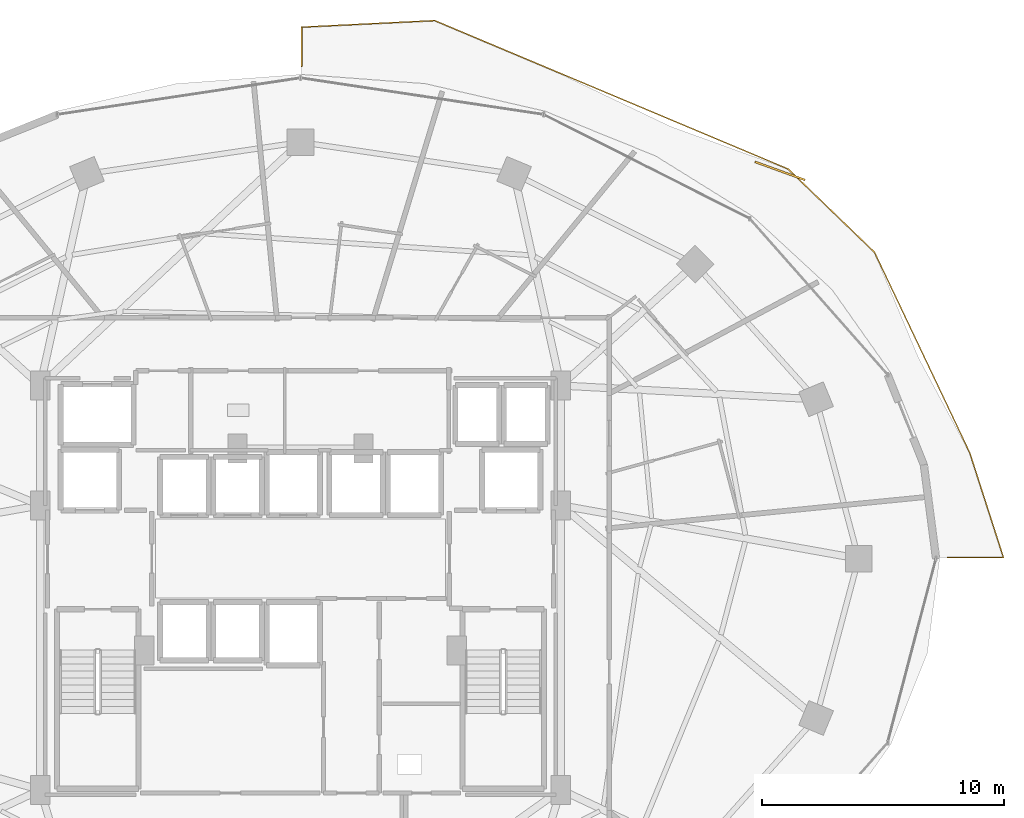
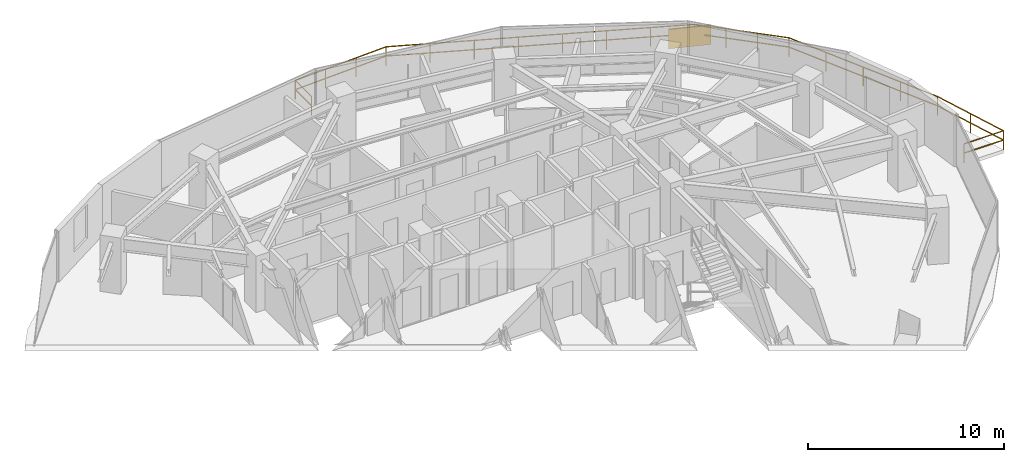
# One storey, part 28 of 29: 2 railings, 1 shading device.
"""IFC4 building model written with IfcOpenShell, lengths in metres."""

from ifc_helpers import new_model, si_unit, direction, frame, origin, origin_2d, place, context, subcontext, project, spatial, rectangle, extrude, material, type_object, element, save


model = new_model("IFC4")

# Units and contexts
model_context = context("Model", 3, precision=1e-05, world=origin(), true_north=direction((0.0, 1.0)))
body_context = subcontext(model_context, "Body", "Model", "MODEL_VIEW")
ifc_project = project(units=[si_unit("LENGTHUNIT", "METRE"), si_unit("AREAUNIT", "SQUARE_METRE"), si_unit("VOLUMEUNIT", "CUBIC_METRE"), si_unit("PLANEANGLEUNIT", "RADIAN"), si_unit("MASSUNIT", "GRAM", prefix="KILO")], contexts=[model_context])

# Site, building, storey
site_placement = place(None, origin())
site = spatial("IfcSite", under=ifc_project, at=site_placement, CompositionType="ELEMENT")
building_placement = place(site_placement, origin())
building = spatial("IfcBuilding", under=site, at=building_placement, Name="Vorneva Point Tower", CompositionType="ELEMENT")
storey_placement = place(building_placement, frame((0.0, 0.0, 120.800048828125)))
storey = spatial("IfcBuildingStorey", under=building, at=storey_placement, Name="L32", CompositionType="ELEMENT", Elevation=120.800048828125)

# Railings
ifc_material = material(Name="Pale anodised aluminium", Category="aluminium")
railing_type = type_object("IfcRailingType", Name="RL-BAL-1200", PredefinedType="BALUSTRADE", material=ifc_material)
railing_1_placement = place(storey_placement, frame((38.050048828125, 47.952392578125, 0.0)))
element("IfcRailing", 1, at=railing_1_placement, inside=storey, type_object=railing_type, Name="L32 Wave Balcony Balustrade NE.1", PredefinedType="BALUSTRADE", context=body_context, shape_type="SweptSolid", body=[
    extrude(rectangle(XDim=0.048095703125, YDim=0.048095703125, at=origin_2d()), frame((0.0, 0.0, 1.17578125), z_axis=(0.0, -1.0, 0.0), x_axis=(1.0, 0.0, 0.0)), (0.0, 0.0, 1.0), 1.63525390625),
    extrude(rectangle(XDim=0.048095703125, YDim=0.048095703125, at=origin_2d()), frame((0.0, 0.0, 0.60009765625), z_axis=(0.0, -1.0, 0.0), x_axis=(1.0, 0.0, 0.0)), (0.0, 0.0, 1.0), 1.63525390625),
    extrude(rectangle(XDim=0.0419921875, YDim=0.0419921875, at=origin_2d()), origin(), (0.0, 0.0, 1.0), 1.15185546875),
    extrude(rectangle(XDim=0.0419921875, YDim=0.0419921875, at=origin_2d()), frame((0.0, -1.63525390625, 0.0)), (0.0, 0.0, 1.0), 1.15185546875),
])
railing_2_placement = place(storey_placement, frame((64.71630859375, 26.050048828125, 0.0)))
element("IfcRailing", 2, at=railing_2_placement, inside=storey, type_object=railing_type, Name="L32 Wave Balcony Balustrade NE.2", PredefinedType="BALUSTRADE", context=body_context, shape_type="SweptSolid", body=[
    extrude(rectangle(XDim=0.048095703125, YDim=0.048095703125, at=origin_2d()), frame((0.0, 0.0, 1.17578125), z_axis=(1.0, 0.0, 0.0), x_axis=(0.0, 1.0, 0.0)), (0.0, 0.0, 1.0), 2.317626953125),
    extrude(rectangle(XDim=0.048095703125, YDim=0.048095703125, at=origin_2d()), frame((0.0, 0.0, 0.60009765625), z_axis=(1.0, 0.0, 0.0), x_axis=(0.0, 1.0, 0.0)), (0.0, 0.0, 1.0), 2.317626953125),
    extrude(rectangle(XDim=0.048095703125, YDim=0.048095703125, at=origin_2d()), frame((2.317626953125, 0.0, 1.17578125), z_axis=(-0.306234224513, 0.951956196333, 0.0), x_axis=(-0.951956196333, -0.306234224513, 0.0)), (0.0, 0.0, 1.0), 4.52978515625),
    extrude(rectangle(XDim=0.048095703125, YDim=0.048095703125, at=origin_2d()), frame((2.317626953125, 0.0, 0.60009765625), z_axis=(-0.306234224513, 0.951956196333, 0.0), x_axis=(-0.951956196333, -0.306234224513, 0.0)), (0.0, 0.0, 1.0), 4.52978515625),
    extrude(rectangle(XDim=0.048095703125, YDim=0.048095703125, at=origin_2d()), frame((0.930419921875, 4.312255859375, 1.17578125), z_axis=(-0.429165789388, 0.903225733258, 0.0), x_axis=(-0.903225733258, -0.429165789388, 0.0)), (0.0, 0.0, 1.0), 9.18505859375),
    extrude(rectangle(XDim=0.048095703125, YDim=0.048095703125, at=origin_2d()), frame((0.930419921875, 4.312255859375, 0.60009765625), z_axis=(-0.429165789388, 0.903225733258, 0.0), x_axis=(-0.903225733258, -0.429165789388, 0.0)), (0.0, 0.0, 1.0), 9.18505859375),
    extrude(rectangle(XDim=0.048095703125, YDim=0.048095703125, at=origin_2d()), frame((-3.011474609375, 12.6083984375, 1.17578125), z_axis=(-0.719945589265, 0.694030509775, 0.0), x_axis=(-0.694030509775, -0.719945589265, 0.0)), (0.0, 0.0, 1.0), 4.94580078125),
    extrude(rectangle(XDim=0.048095703125, YDim=0.048095703125, at=origin_2d()), frame((-3.011474609375, 12.6083984375, 0.60009765625), z_axis=(-0.719945589265, 0.694030509775, 0.0), x_axis=(-0.694030509775, -0.719945589265, 0.0)), (0.0, 0.0, 1.0), 4.94580078125),
    extrude(rectangle(XDim=0.048095703125, YDim=0.048095703125, at=origin_2d()), frame((-6.572265625, 16.041015625, 1.17578125), z_axis=(-0.921993663764, 0.387204963784, 0.0), x_axis=(-0.387204963784, -0.921993663764, 0.0)), (0.0, 0.0, 1.0), 15.836181640625),
    extrude(rectangle(XDim=0.048095703125, YDim=0.048095703125, at=origin_2d()), frame((-6.572265625, 16.041015625, 0.60009765625), z_axis=(-0.921993663764, 0.387204963784, 0.0), x_axis=(-0.387204963784, -0.921993663764, 0.0)), (0.0, 0.0, 1.0), 15.836181640625),
    extrude(rectangle(XDim=0.048095703125, YDim=0.048095703125, at=origin_2d()), frame((-21.173095703125, 22.1728515625, 1.17578125), z_axis=(-0.998789693161, -0.049184843557, 0.0), x_axis=(0.049184843557, -0.998789693161, 0.0)), (0.0, 0.0, 1.0), 5.499755859375),
    extrude(rectangle(XDim=0.048095703125, YDim=0.048095703125, at=origin_2d()), frame((-21.173095703125, 22.1728515625, 0.60009765625), z_axis=(-0.998789693161, -0.049184843557, 0.0), x_axis=(0.049184843557, -0.998789693161, 0.0)), (0.0, 0.0, 1.0), 5.499755859375),
    extrude(rectangle(XDim=0.0419921875, YDim=0.0419921875, at=origin_2d()), origin(), (0.0, 0.0, 1.0), 1.15185546875),
    extrude(rectangle(XDim=0.0419921875, YDim=0.0419921875, at=origin_2d()), frame((2.317626953125, 0.0, 0.0)), (0.0, 0.0, 1.0), 1.15185546875),
    extrude(rectangle(XDim=0.0419921875, YDim=0.0419921875, at=origin_2d()), frame((1.6240234375, 2.15625, 0.0)), (0.0, 0.0, 1.0), 1.15185546875),
    extrude(rectangle(XDim=0.0419921875, YDim=0.0419921875, at=origin_2d()), frame((0.930419921875, 4.312255859375, 0.0)), (0.0, 0.0, 1.0), 1.15185546875),
    extrude(rectangle(XDim=0.0419921875, YDim=0.0419921875, at=origin_2d()), frame((-0.05517578125, 6.38623046875, 0.0)), (0.0, 0.0, 1.0), 1.15185546875),
    extrude(rectangle(XDim=0.0419921875, YDim=0.0419921875, at=origin_2d()), frame((-1.04052734375, 8.46044921875, 0.0)), (0.0, 0.0, 1.0), 1.15185546875),
    extrude(rectangle(XDim=0.0419921875, YDim=0.0419921875, at=origin_2d()), frame((-2.02587890625, 10.534423828125, 0.0)), (0.0, 0.0, 1.0), 1.15185546875),
    extrude(rectangle(XDim=0.0419921875, YDim=0.0419921875, at=origin_2d()), frame((-3.011474609375, 12.6083984375, 0.0)), (0.0, 0.0, 1.0), 1.15185546875),
    extrude(rectangle(XDim=0.0419921875, YDim=0.0419921875, at=origin_2d()), frame((-4.198486328125, 13.752685546875, 0.0)), (0.0, 0.0, 1.0), 1.15185546875),
    extrude(rectangle(XDim=0.0419921875, YDim=0.0419921875, at=origin_2d()), frame((-5.38525390625, 14.896728515625, 0.0)), (0.0, 0.0, 1.0), 1.15185546875),
    extrude(rectangle(XDim=0.0419921875, YDim=0.0419921875, at=origin_2d()), frame((-6.572265625, 16.041015625, 0.0)), (0.0, 0.0, 1.0), 1.15185546875),
    extrude(rectangle(XDim=0.0419921875, YDim=0.0419921875, at=origin_2d()), frame((-8.658203125, 16.9169921875, 0.0)), (0.0, 0.0, 1.0), 1.15185546875),
    extrude(rectangle(XDim=0.0419921875, YDim=0.0419921875, at=origin_2d()), frame((-10.743896484375, 17.79296875, 0.0)), (0.0, 0.0, 1.0), 1.15185546875),
    extrude(rectangle(XDim=0.0419921875, YDim=0.0419921875, at=origin_2d()), frame((-12.829833984375, 18.6689453125, 0.0)), (0.0, 0.0, 1.0), 1.15185546875),
    extrude(rectangle(XDim=0.0419921875, YDim=0.0419921875, at=origin_2d()), frame((-14.91552734375, 19.544921875, 0.0)), (0.0, 0.0, 1.0), 1.15185546875),
    extrude(rectangle(XDim=0.0419921875, YDim=0.0419921875, at=origin_2d()), frame((-17.00146484375, 20.4208984375, 0.0)), (0.0, 0.0, 1.0), 1.15185546875),
    extrude(rectangle(XDim=0.0419921875, YDim=0.0419921875, at=origin_2d()), frame((-19.087158203125, 21.296875, 0.0)), (0.0, 0.0, 1.0), 1.15185546875),
    extrude(rectangle(XDim=0.0419921875, YDim=0.0419921875, at=origin_2d()), frame((-21.173095703125, 22.1728515625, 0.0)), (0.0, 0.0, 1.0), 1.15185546875),
    extrude(rectangle(XDim=0.0419921875, YDim=0.0419921875, at=origin_2d()), frame((-23.004150390625, 22.082763671875, 0.0)), (0.0, 0.0, 1.0), 1.15185546875),
    extrude(rectangle(XDim=0.0419921875, YDim=0.0419921875, at=origin_2d()), frame((-24.835205078125, 21.992431640625, 0.0)), (0.0, 0.0, 1.0), 1.15185546875),
    extrude(rectangle(XDim=0.0419921875, YDim=0.0419921875, at=origin_2d()), frame((-26.666259765625, 21.90234375, 0.0)), (0.0, 0.0, 1.0), 1.15185546875),
])

# Shading device
shading_device_type = type_object("IfcShadingDeviceType", Name="SHD-JAL-1200", PredefinedType="JALOUSIE", material=ifc_material)
shading_device_placement = place(storey_placement, frame((57.804443359375, 42.013671875, -0.02001953125), z_axis=(0.0, 0.0, 1.0), x_axis=(-0.940294067611, 0.340363139037, 0.0)))
element("IfcShadingDevice", 3, at=shading_device_placement, inside=storey, type_object=shading_device_type, Name="L32 Balcony Vertical-Greenery Planter Screen NE.2", PredefinedType="JALOUSIE", context=body_context, shape_type="SweptSolid", body=[
    extrude(rectangle(XDim=2.199951171875, YDim=0.080078125, at=origin_2d()), origin(), (0.0, 0.0, 1.0), 1.199951171875),
])

save(model, "model.ifc")
